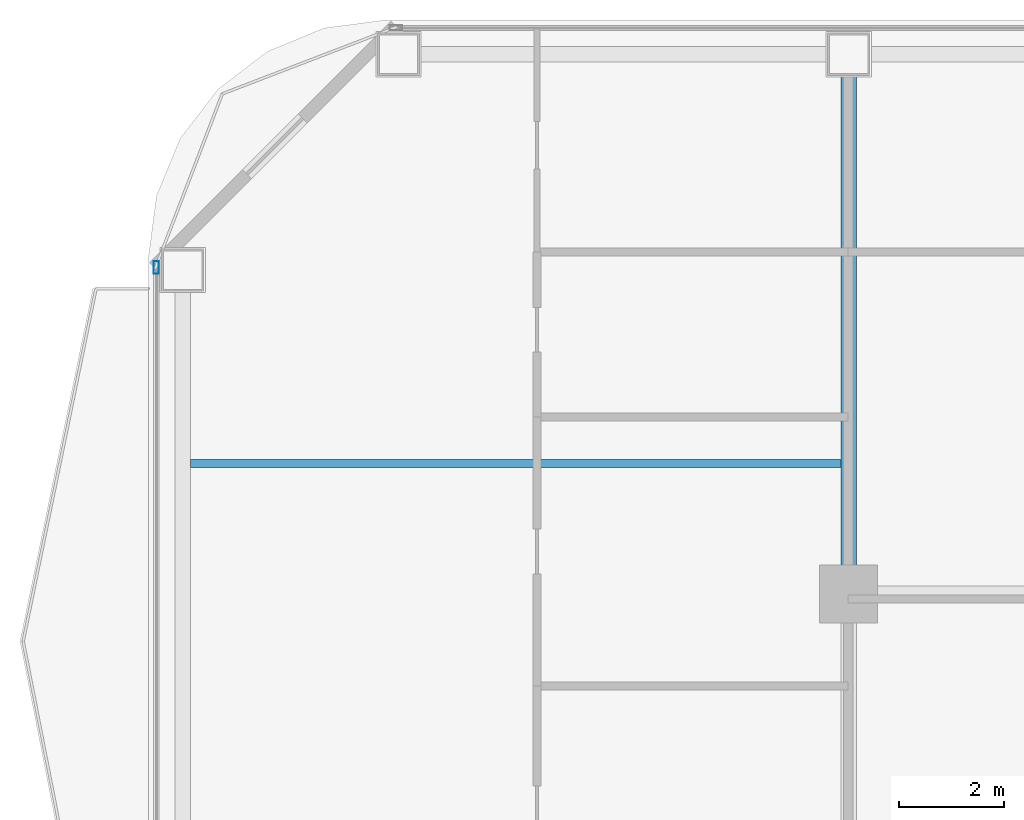
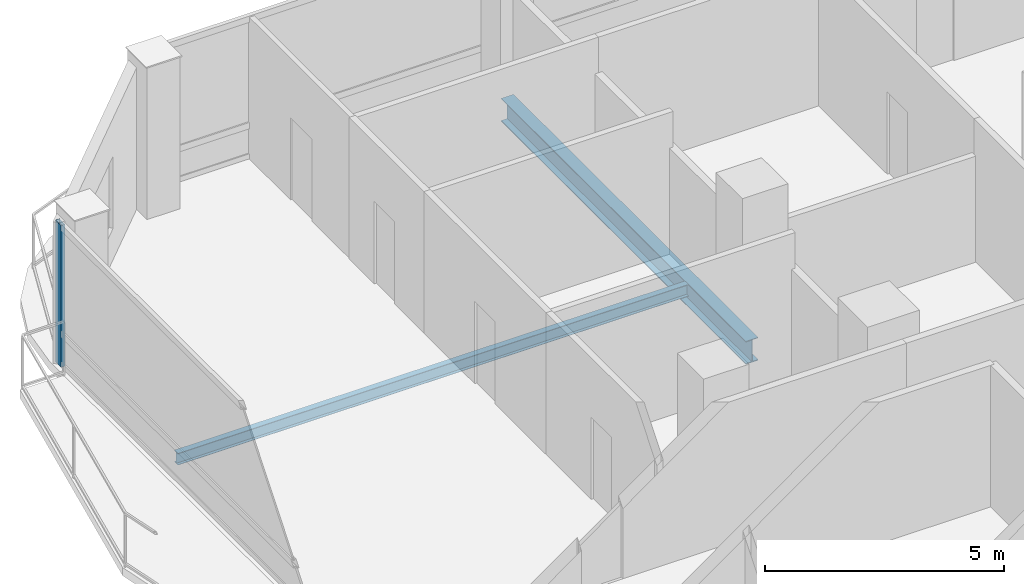
# One storey, part 13 of 28: 2 beams, 1 member, 1 element without a shape of its own.
"""IFC4 building model written with IfcOpenShell, lengths in metres."""

import ifcopenshell
import ifcopenshell.guid

model = None  # the IFC model being written
_history = None  # IfcOwnerHistory: only IFC2X3 demands one
_inside = {}  # id of a spatial element -> (the spatial element, [elements in it])
_under = {}  # id of a project, library or spatial element -> (it, [spatial elements below it])
_declared = {}  # id of a project -> (the project, [libraries it declares])
_typed = {}  # id of a type object -> (the type object, [elements of that type])
_made_of = {}  # id of a material, layer set ... -> (it, [elements and type objects made of it])


def new_model(schema):
    """Start an empty IFC model of exactly this schema.

    Asked for "IFC4X3", IfcOpenShell would pick the latest addendum, in which some entities
    have other attributes; the version numbers below select the first issue.
    IFC2X3 requires an IfcOwnerHistory on every rooted entity: one is made here for all.
    """
    global model, _history
    if schema == "IFC4X3":
        model = ifcopenshell.file(schema_version=(4, 3, 0, 0))
    else:
        model = ifcopenshell.file(schema=schema)
    _inside.clear()
    _under.clear()
    _declared.clear()
    _typed.clear()
    _made_of.clear()
    _history = None
    if model.schema == "IFC2X3":
        org = make("IfcOrganization", Name="unknown")
        user = make(
            "IfcPersonAndOrganization",
            ThePerson=make("IfcPerson", FamilyName="unknown"),
            TheOrganization=org,
        )
        app = make(
            "IfcApplication",
            ApplicationDeveloper=org,
            Version="unknown",
            ApplicationFullName="unknown",
            ApplicationIdentifier="unknown",
        )
        _history = make(
            "IfcOwnerHistory",
            OwningUser=user,
            OwningApplication=app,
            ChangeAction="ADDED",
            CreationDate=0,
        )
    return model


def make(cls, **values):
    """One entity of the class cls with the attributes given. An attribute that is None is left unset."""
    return model.create_entity(
        cls, **{name: value for name, value in values.items() if value is not None}
    )


def rooted(cls, **values):
    """An entity with a GlobalId (a new one), such as an element, a storey or a relation."""
    return make(cls, GlobalId=ifcopenshell.guid.new(), OwnerHistory=_history, **values)


def si_unit(unit_type, name, prefix=None):
    """IfcSIUnit, for example si_unit("LENGTHUNIT", "METRE", prefix="MILLI")."""
    return make("IfcSIUnit", UnitType=unit_type, Prefix=prefix, Name=name)


def assignment(units):
    """IfcUnitAssignment: the units of a project."""
    return None if units is None else make("IfcUnitAssignment", Units=units)


def point(xyz):
    """IfcCartesianPoint."""
    return None if xyz is None else make("IfcCartesianPoint", Coordinates=xyz)


def direction(xyz):
    """IfcDirection."""
    return None if xyz is None else make("IfcDirection", DirectionRatios=xyz)


def frame(location, z_axis=None, x_axis=None):
    """IfcAxis2Placement3D, a coordinate frame: its origin and axes. An axis left out is left unset."""
    return make(
        "IfcAxis2Placement3D",
        Location=point(location),
        Axis=direction(z_axis),
        RefDirection=direction(x_axis),
    )


def frame_2d(location, x_axis=None):
    """IfcAxis2Placement2D, a coordinate frame in the plane: its origin and x axis."""
    return make(
        "IfcAxis2Placement2D", Location=point(location), RefDirection=direction(x_axis)
    )


def origin():
    """The frame at (0, 0, 0) with its axes left unset."""
    return frame((0.0, 0.0, 0.0))


def origin_2d():
    """The frame at (0, 0) in the plane with its x axis left unset."""
    return frame_2d((0.0, 0.0))


def place(relative_to, where):
    """IfcLocalPlacement: puts the frame where relative to a parent placement (None: the world)."""
    return make(
        "IfcLocalPlacement", PlacementRelTo=relative_to, RelativePlacement=where
    )


def context(
    kind, dimensions, precision=None, world=None, true_north=None, identifier=None
):
    """IfcGeometricRepresentationContext, for example the 3D "Model" context."""
    return make(
        "IfcGeometricRepresentationContext",
        ContextIdentifier=identifier,
        ContextType=kind,
        CoordinateSpaceDimension=dimensions,
        Precision=precision,
        WorldCoordinateSystem=world,
        TrueNorth=true_north,
    )


def subcontext(parent, identifier, kind, view, scale=None):
    """IfcGeometricRepresentationSubContext, for example "Body" below "Model"."""
    return make(
        "IfcGeometricRepresentationSubContext",
        ContextIdentifier=identifier,
        ContextType=kind,
        ParentContext=parent,
        TargetScale=scale,
        TargetView=view,
    )


def project(units=None, contexts=None):
    """IfcProject with its units and contexts."""
    return rooted(
        "IfcProject",
        Name="project",
        RepresentationContexts=contexts,
        UnitsInContext=assignment(units),
    )


def spatial(cls, under=None, at=None, **own):
    """A site, building, storey or space (cls), placed at a placement, below another one or the project."""
    s = rooted(cls, ObjectPlacement=at, **own)
    if under is not None:
        _under.setdefault(under.id(), (under, []))[1].append(s)
    return s


def profile(cls, at=None, kind="AREA", **sizes):
    """A parametric profile (cls). Its sizes go by their IFC names, for example OverallWidth=200.0."""
    return make(cls, ProfileType=kind, Position=at, **sizes)


def hollow_rectangle(**sizes):
    """IfcRectangleHollowProfileDef."""
    return profile("IfcRectangleHollowProfileDef", **sizes)


def i_section(**sizes):
    """IfcIShapeProfileDef."""
    return profile("IfcIShapeProfileDef", **sizes)


def extrude(swept, where, along, depth):
    """IfcExtrudedAreaSolid: the profile swept, set in the frame where, extruded along a direction by depth."""
    return make(
        "IfcExtrudedAreaSolid",
        SweptArea=swept,
        Position=where,
        ExtrudedDirection=direction(along),
        Depth=depth,
    )


def shape(context_of_items, identifier, shape_type, items):
    """IfcShapeRepresentation: the items that make up one representation, for example the "Body"."""
    return make(
        "IfcShapeRepresentation",
        ContextOfItems=context_of_items,
        RepresentationIdentifier=identifier,
        RepresentationType=shape_type,
        Items=items,
    )


def material(Name=None, Category=None):
    """IfcMaterial."""
    return make("IfcMaterial", Name=Name, Category=Category)


def layer(
    of_material, thickness, ventilated=None, Name=None, Category=None, Priority=None
):
    """IfcMaterialLayer: one layer of a wall or slab, of a material (None: an air gap)."""
    return make(
        "IfcMaterialLayer",
        Material=of_material,
        LayerThickness=thickness,
        IsVentilated=ventilated,
        Name=Name,
        Category=Category,
        Priority=Priority,
    )


def layer_set(layers, Name=None):
    """IfcMaterialLayerSet."""
    return make("IfcMaterialLayerSet", MaterialLayers=layers, LayerSetName=Name)


def material_profile(
    of_material, cross_section, Name=None, Category=None, Priority=None
):
    """IfcMaterialProfile: a cross section and its material."""
    return make(
        "IfcMaterialProfile",
        Name=Name,
        Material=of_material,
        Profile=cross_section,
        Priority=Priority,
        Category=Category,
    )


def profile_set(profiles, Name=None, composite=None):
    """IfcMaterialProfileSet."""
    return make(
        "IfcMaterialProfileSet",
        Name=Name,
        MaterialProfiles=profiles,
        CompositeProfile=composite,
    )


def made_of(thing, what):
    """Note that an element or type object is made of a material, layer set ...; save() writes the relation."""
    if what is not None:
        _made_of.setdefault(what.id(), (what, []))[1].append(thing)
    return thing


def type_object(cls, material=None, **own):
    """A type object (cls), such as IfcWallType, which elements share."""
    return made_of(rooted(cls, **own), material)


def element(
    cls,
    number,
    at=None,
    inside=None,
    cuts=None,
    type_object=None,
    material=None,
    context=None,
    identifier="Body",
    shape_type=None,
    held_by="IfcProductDefinitionShape",
    body=None,
    shapes=None,
    **own,
):
    """One element of the class cls, such as IfcWall. Its Tag is "e" and its number.

    at: its placement. inside: the storey or other place that contains it. cuts: it is an
    opening in that element (IfcRelVoidsElement). A single representation is given by context,
    identifier, shape_type and body (its items); several are given by shapes. held_by: the class
    of the entity that holds the representations. save() writes the other relations.
    """
    e = rooted(cls, Tag="e%d" % number, ObjectPlacement=at, **own)
    if body is not None:
        shapes = [shape(context, identifier, shape_type, body)]
    if shapes is not None:
        e.Representation = make(held_by, Representations=shapes)
    if inside is not None:
        _inside.setdefault(inside.id(), (inside, []))[1].append(e)
    if cuts is not None:
        rooted(
            "IfcRelVoidsElement", RelatingBuildingElement=cuts, RelatedOpeningElement=e
        )
    if type_object is not None:
        _typed.setdefault(type_object.id(), (type_object, []))[1].append(e)
    return made_of(e, material)


def aggregate(whole, parts):
    """IfcRelAggregates: a whole, such as a stair, and the parts it consists of."""
    return rooted("IfcRelAggregates", RelatingObject=whole, RelatedObjects=parts)


def save(model, path):
    """Write the relations noted so far, then the file.

    IfcRelAggregates (storeys below a building ...), IfcRelContainedInSpatialStructure (elements
    in a storey), IfcRelDefinesByType, IfcRelAssociatesMaterial and IfcRelDeclares: one each for
    every whole, place, type object, material and project.
    """
    for whole, parts in _under.values():
        aggregate(whole, parts)
    for where, things in _inside.values():
        rooted(
            "IfcRelContainedInSpatialStructure",
            RelatedElements=things,
            RelatingStructure=where,
        )
    for kind, things in _typed.values():
        rooted("IfcRelDefinesByType", RelatedObjects=things, RelatingType=kind)
    for what, things in _made_of.values():
        rooted("IfcRelAssociatesMaterial", RelatedObjects=things, RelatingMaterial=what)
    for by, libraries in _declared.values():
        rooted("IfcRelDeclares", RelatingContext=by, RelatedDefinitions=libraries)
    model.write(path)


model = new_model("IFC4")

# Units and contexts
model_context = context("Model", 3, precision=1e-05, world=origin(), true_north=direction((0.0, 1.0)))
body_context = subcontext(model_context, "Body", "Model", "MODEL_VIEW")
ifc_project = project(units=[si_unit("LENGTHUNIT", "METRE"), si_unit("AREAUNIT", "SQUARE_METRE"), si_unit("VOLUMEUNIT", "CUBIC_METRE"), si_unit("PLANEANGLEUNIT", "RADIAN"), si_unit("MASSUNIT", "GRAM", prefix="KILO")], contexts=[model_context])

# Site, building, storey
site_placement = place(None, origin())
site = spatial("IfcSite", under=ifc_project, at=site_placement, CompositionType="ELEMENT")
building_placement = place(site_placement, origin())
building = spatial("IfcBuilding", under=site, at=building_placement, Name="Khorvyn Point Tower", CompositionType="ELEMENT")
storey_placement = place(building_placement, frame((0.0, 0.0, 104.699951171875)))
storey = spatial("IfcBuildingStorey", under=building, at=storey_placement, Name="L26", CompositionType="ELEMENT", Elevation=104.699951171875)

# Curtain wall, member
ifc_material_1 = material(Name="Anodised aluminium 6063-T6 and laminated Low-E glass", Category="aluminium")
ifc_layer = layer(ifc_material_1, 0.18994140625)
ifc_layer_set = layer_set([ifc_layer], Name="Stick-Built Finned Residential Curtain Wall CW-SYS-02")
curtain_wall_type = type_object("IfcCurtainWallType", Name="Stick-Built Finned Residential Curtain Wall CW-SYS-02", PredefinedType="NOTDEFINED", material=ifc_layer_set)
curtain_wall_placement = place(storey_placement, origin())
curtain_wall = element("IfcCurtainWall", 1, at=curtain_wall_placement, inside=storey, type_object=curtain_wall_type, Name="Curtain Wall", PredefinedType="NOTDEFINED")
ifc_material_2 = material(Name="Anodised aluminium 6063-T6", Category="aluminium")
ifc_material_profile_1 = material_profile(ifc_material_2, hollow_rectangle(XDim=0.10009765625, YDim=0.239990234375, WallThickness=0.0048828125, at=origin_2d()))
ifc_profile_set_1 = profile_set([ifc_material_profile_1], Name="Anodised aluminium 6063-T6 ALU-MUL-100x240")
member_type = type_object("IfcMemberType", Name="Anodised Aluminium 6063-T6 Mullion ALU-MUL-100x240", PredefinedType="MULLION", material=ifc_profile_set_1)
member_placement = place(storey_placement, frame((-27.949951171875, 26.300048828125, 0.0), z_axis=(0.0, 0.0, 1.0), x_axis=(-1.0, 0.0, 0.0)))
member = element("IfcMember", 2, at=member_placement, type_object=member_type, Name="Transom", PredefinedType="MULLION", context=body_context, shape_type="SweptSolid", body=[
    extrude(hollow_rectangle(XDim=0.10009765625, YDim=0.239990234375, WallThickness=0.0048828125, at=origin_2d()), origin(), (0.0, 0.0, 1.0), 3.6201171875),
])
aggregate(curtain_wall, [member])

# Beams
ifc_material_3 = material(Name="Steel S355", Category="steel")
ifc_material_profile_2 = material_profile(ifc_material_3, i_section(OverallWidth=0.300048828125, OverallDepth=0.587890625, WebThickness=0.011962890625, FlangeThickness=0.02001953125, at=origin_2d()))
ifc_profile_set_2 = profile_set([ifc_material_profile_2], Name="Steel S355 H588x300x12x20")
beam_type_1 = type_object("IfcBeamType", Name="Steel S355 Beam H588x300x12x20", PredefinedType="BEAM", material=ifc_profile_set_2)
beam_1_placement = place(storey_placement, frame((-14.800048828125, 20.10009765625, -0.513916015625), z_axis=(0.0, 1.0, 0.0), x_axis=(-1.0, 0.0, 0.0)))
element("IfcBeam", 3, at=beam_1_placement, inside=storey, type_object=beam_type_1, Name="Beam", PredefinedType="BEAM", context=body_context, shape_type="SweptSolid", body=[
    extrude(i_section(OverallWidth=0.300048828125, OverallDepth=0.587890625, WebThickness=0.011962890625, FlangeThickness=0.02001953125, at=origin_2d()), origin(), (0.0, 0.0, 1.0), 10.25),
])
ifc_material_profile_3 = material_profile(ifc_material_3, i_section(OverallWidth=0.14990234375, OverallDepth=0.300048828125, WebThickness=0.006591796875, FlangeThickness=0.009033203125, at=origin_2d()))
ifc_profile_set_3 = profile_set([ifc_material_profile_3], Name="Steel S355 H300x150x6.5x9")
beam_type_2 = type_object("IfcBeamType", Name="Steel S355 Joist H300x150x6.5x9", PredefinedType="JOIST", material=ifc_profile_set_3)
beam_2_placement = place(storey_placement, frame((-27.300048828125, 22.574951171875, -0.369873046875), z_axis=(1.0, 0.0, 0.0), x_axis=(0.0, 1.0, 0.0)))
element("IfcBeam", 4, at=beam_2_placement, inside=storey, type_object=beam_type_2, Name="Beam", PredefinedType="JOIST", context=body_context, shape_type="SweptSolid", body=[
    extrude(i_section(OverallWidth=0.14990234375, OverallDepth=0.300048828125, WebThickness=0.006591796875, FlangeThickness=0.009033203125, at=origin_2d()), origin(), (0.0, 0.0, 1.0), 12.35009765625),
])

save(model, "model.ifc")
